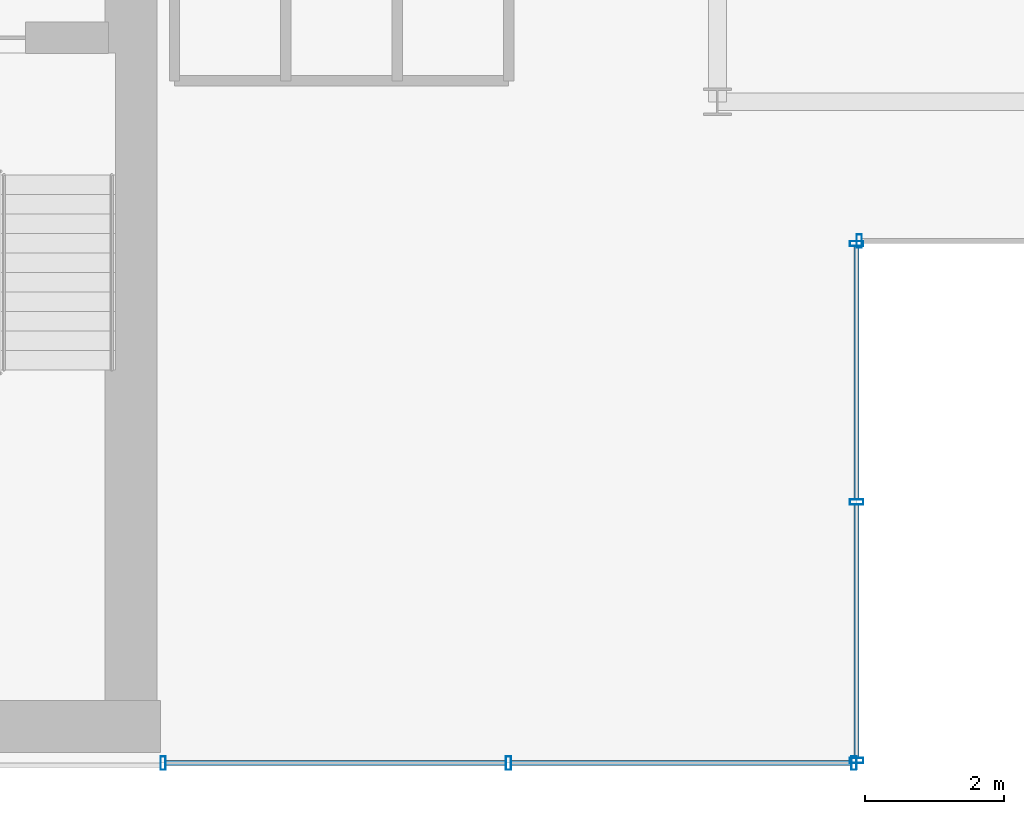
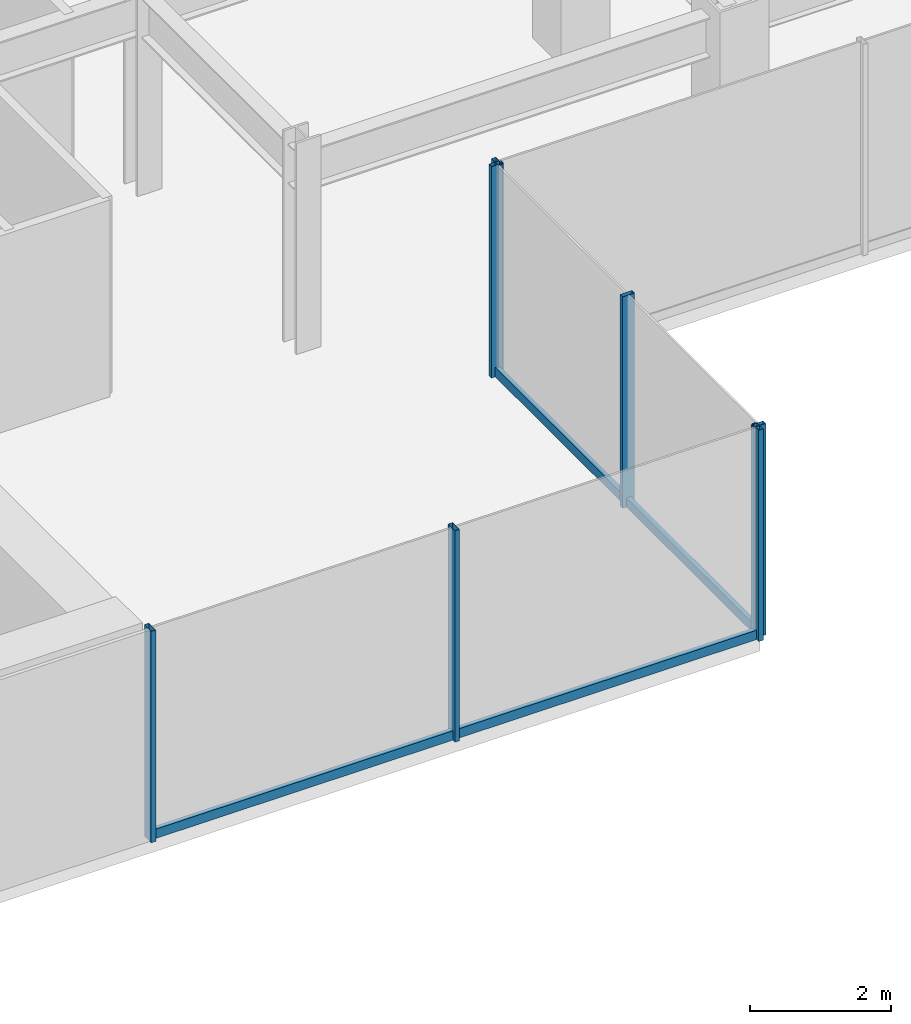
# One storey, part 8 of 26: 11 members, 3 elements without a shape of their own.
"""IFC4 building model written with IfcOpenShell, lengths in metres."""

from ifc_helpers import new_model, si_unit, derived_unit, direction, frame, origin, origin_2d, place, context, subcontext, project, spatial, hollow_rectangle, extrude, source, transform, mapped, material, material_profile, profile_set, type_object, element, aggregate, save


model = new_model("IFC4")

# Units and contexts
model_context = context("Model", 3, precision=1e-05, world=origin(), true_north=direction((0.0, 1.0)))
body_context = subcontext(model_context, "Body", "Model", "MODEL_VIEW")
ifc_project = project(units=[si_unit("LENGTHUNIT", "METRE"), si_unit("AREAUNIT", "SQUARE_METRE"), si_unit("VOLUMEUNIT", "CUBIC_METRE"), si_unit("PLANEANGLEUNIT", "RADIAN"), si_unit("MASSUNIT", "GRAM", prefix="KILO"), derived_unit("THERMALTRANSMITTANCEUNIT", [(si_unit("POWERUNIT", "WATT"), 1), (si_unit("LENGTHUNIT", "METRE"), -2), (si_unit("THERMODYNAMICTEMPERATUREUNIT", "KELVIN"), -1)])], contexts=[model_context])

# Site, building, storey
site_placement = place(None, origin())
site = spatial("IfcSite", under=ifc_project, at=site_placement, CompositionType="ELEMENT")
building_placement = place(site_placement, origin())
building = spatial("IfcBuilding", under=site, at=building_placement, Name="Skarnbrae Concourse Arena and Tower", CompositionType="ELEMENT")
storey_placement = place(building_placement, frame((0.0, 0.0, 103.25)))
storey = spatial("IfcBuildingStorey", under=building, at=storey_placement, Name="L25", CompositionType="ELEMENT", Elevation=103.25)

# Curtain wall, members
ifc_material = material(Name="Bronze anodised aluminium 6063-T6", Category="aluminium")
curtain_wall_type = type_object("IfcCurtainWallType", Name="CW-SYS-04-MIDZONE", PredefinedType="USERDEFINED", material=ifc_material)
curtain_wall_1_placement = place(storey_placement, origin())
curtain_wall_1 = element("IfcCurtainWall", 1, at=curtain_wall_1_placement, inside=storey, type_object=curtain_wall_type, Name="L25 Unitised curtain wall CW-L25-SE-SPINE", ObjectType="UNITISED CURTAIN WALL", PredefinedType="USERDEFINED")
ifc_material_profile_1 = material_profile(ifc_material, hollow_rectangle(XDim=0.074951171875, YDim=0.159912109375, WallThickness=0.00439453125, at=origin_2d()), Name="ALU-TRAN-75X160")
ifc_profile_set_1 = profile_set([ifc_material_profile_1], Name="Bronze anodised aluminium 6063-T6")
member_type_1 = type_object("IfcMemberType", Name="CWT-CW-04", PredefinedType="USERDEFINED", material=ifc_profile_set_1)
shared_shape_1 = source(origin(), body_context, "Body", "SweptSolid", [
    extrude(hollow_rectangle(XDim=0.074951171875, YDim=0.159912109375, WallThickness=0.00439453125, at=origin_2d()), origin(), (0.0, 0.0, 1.0), 4.887451171875),
])
member_1_placement = place(storey_placement, frame((34.074951171875, 0.0, 0.080078125), z_axis=(1.0, 0.0, 0.0), x_axis=(0.0, 1.0, 0.0)))
member_1 = element("IfcMember", 2, at=member_1_placement, type_object=member_type_1, Name="CW-L25-SE-SPINE Transom 1", ObjectType="TRANSOM", PredefinedType="USERDEFINED", context=body_context, shape_type="MappedRepresentation", body=[
    mapped(shared_shape_1, transform((0.0, 0.0, 0.0))),
])
member_2_placement = place(storey_placement, frame((39.03759765625, 0.0, 0.080078125), z_axis=(1.0, 0.0, 0.0), x_axis=(0.0, 1.0, 0.0)))
member_2 = element("IfcMember", 3, at=member_2_placement, type_object=member_type_1, Name="CW-L25-SE-SPINE Transom 2", ObjectType="TRANSOM", PredefinedType="USERDEFINED", context=body_context, shape_type="MappedRepresentation", body=[
    mapped(shared_shape_1, transform((0.0, 0.0, 0.0))),
])

curtain_wall_2_placement = place(storey_placement, origin())
curtain_wall_2 = element("IfcCurtainWall", 4, at=curtain_wall_2_placement, inside=storey, type_object=curtain_wall_type, Name="L25 Unitised curtain wall CW-L25-E02", ObjectType="UNITISED CURTAIN WALL", PredefinedType="USERDEFINED")
shared_shape_2 = source(origin(), body_context, "Body", "SweptSolid", [
    extrude(hollow_rectangle(XDim=0.074951171875, YDim=0.159912109375, WallThickness=0.00439453125, at=origin_2d()), origin(), (0.0, 0.0, 1.0), 3.637451171875),
])
member_3_placement = place(storey_placement, frame((44.0, 0.074951171875, 0.080078125), z_axis=(0.0, 1.0, 0.0), x_axis=(-1.0, 0.0, 0.0)))
member_3 = element("IfcMember", 5, at=member_3_placement, type_object=member_type_1, Name="CW-L25-E02 Transom 1", ObjectType="TRANSOM", PredefinedType="USERDEFINED", context=body_context, shape_type="MappedRepresentation", body=[
    mapped(shared_shape_2, transform((0.0, 0.0, 0.0))),
])
member_4_placement = place(storey_placement, frame((44.0, 3.78759765625, 0.080078125), z_axis=(0.0, 1.0, 0.0), x_axis=(-1.0, 0.0, 0.0)))
member_4 = element("IfcMember", 6, at=member_4_placement, type_object=member_type_1, Name="CW-L25-E02 Transom 2", ObjectType="TRANSOM", PredefinedType="USERDEFINED", context=body_context, shape_type="MappedRepresentation", body=[
    mapped(shared_shape_2, transform((0.0, 0.0, 0.0))),
])

# Member
ifc_material_profile_2 = material_profile(ifc_material, hollow_rectangle(XDim=0.074951171875, YDim=0.195068359375, WallThickness=0.00439453125, at=origin_2d()), Name="ALU-MULL-75X195")
ifc_profile_set_2 = profile_set([ifc_material_profile_2], Name="Bronze anodised aluminium 6063-T6")
member_type_2 = type_object("IfcMemberType", Name="CWM-CW-04", PredefinedType="MULLION", material=ifc_profile_set_2)
shared_shape_3 = source(origin(), body_context, "Body", "SweptSolid", [
    extrude(hollow_rectangle(XDim=0.074951171875, YDim=0.195068359375, WallThickness=0.00439453125, at=origin_2d()), origin(), (0.0, 0.0, 1.0), 3.64990234375),
])
member_5_placement = place(storey_placement, frame((34.03759765625, 0.0, 0.0), z_axis=(0.0, 0.0, 1.0), x_axis=(1.0, 0.0, 0.0)))
member_5 = element("IfcMember", 7, at=member_5_placement, type_object=member_type_2, Name="CW-L25-SE-SPINE Mullion 1", PredefinedType="MULLION", context=body_context, shape_type="MappedRepresentation", body=[
    mapped(shared_shape_3, transform((0.0, 0.0, 0.0))),
])

member_6_placement = place(storey_placement, frame((39.0, 0.0, 0.0), z_axis=(0.0, 0.0, 1.0), x_axis=(1.0, 0.0, 0.0)))
member_6 = element("IfcMember", 8, at=member_6_placement, type_object=member_type_2, Name="CW-L25-SE-SPINE Mullion 2", PredefinedType="MULLION", context=body_context, shape_type="MappedRepresentation", body=[
    mapped(shared_shape_3, transform((0.0, 0.0, 0.0))),
])

member_7_placement = place(storey_placement, frame((43.96240234375, 0.0, 0.0), z_axis=(0.0, 0.0, 1.0), x_axis=(1.0, 0.0, 0.0)))
member_7 = element("IfcMember", 9, at=member_7_placement, type_object=member_type_2, Name="CW-L25-SE-SPINE Mullion 3", PredefinedType="MULLION", context=body_context, shape_type="MappedRepresentation", body=[
    mapped(shared_shape_3, transform((0.0, 0.0, 0.0))),
])

aggregate(curtain_wall_1, [member_5, member_6, member_7, member_1, member_2])

member_8_placement = place(storey_placement, frame((44.0, 0.03759765625, 0.0), z_axis=(0.0, 0.0, 1.0), x_axis=(0.0, 1.0, 0.0)))
member_8 = element("IfcMember", 10, at=member_8_placement, type_object=member_type_2, Name="CW-L25-E02 Mullion 1", PredefinedType="MULLION", context=body_context, shape_type="MappedRepresentation", body=[
    mapped(shared_shape_3, transform((0.0, 0.0, 0.0))),
])

member_9_placement = place(storey_placement, frame((44.0, 3.75, 0.0), z_axis=(0.0, 0.0, 1.0), x_axis=(0.0, 1.0, 0.0)))
member_9 = element("IfcMember", 11, at=member_9_placement, type_object=member_type_2, Name="CW-L25-E02 Mullion 2", PredefinedType="MULLION", context=body_context, shape_type="MappedRepresentation", body=[
    mapped(shared_shape_3, transform((0.0, 0.0, 0.0))),
])

member_10_placement = place(storey_placement, frame((44.0, 7.46240234375, 0.0), z_axis=(0.0, 0.0, 1.0), x_axis=(0.0, 1.0, 0.0)))
member_10 = element("IfcMember", 12, at=member_10_placement, type_object=member_type_2, Name="CW-L25-E02 Mullion 3", PredefinedType="MULLION", context=body_context, shape_type="MappedRepresentation", body=[
    mapped(shared_shape_3, transform((0.0, 0.0, 0.0))),
])

aggregate(curtain_wall_2, [member_8, member_9, member_10, member_3, member_4])

# Curtain wall, member
curtain_wall_3_placement = place(storey_placement, origin())
curtain_wall_3 = element("IfcCurtainWall", 13, at=curtain_wall_3_placement, inside=storey, type_object=curtain_wall_type, Name="L25 Unitised curtain wall CW-L25-E03", ObjectType="UNITISED CURTAIN WALL", PredefinedType="USERDEFINED")
member_11_placement = place(storey_placement, frame((44.03759765625, 7.5, 0.0), z_axis=(0.0, 0.0, 1.0), x_axis=(1.0, 0.0, 0.0)))
member_11 = element("IfcMember", 14, at=member_11_placement, type_object=member_type_2, Name="CW-L25-E03 Mullion 1", PredefinedType="MULLION", context=body_context, shape_type="MappedRepresentation", body=[
    mapped(shared_shape_3, transform((0.0, 0.0, 0.0))),
])
aggregate(curtain_wall_3, [member_11])

save(model, "model.ifc")
